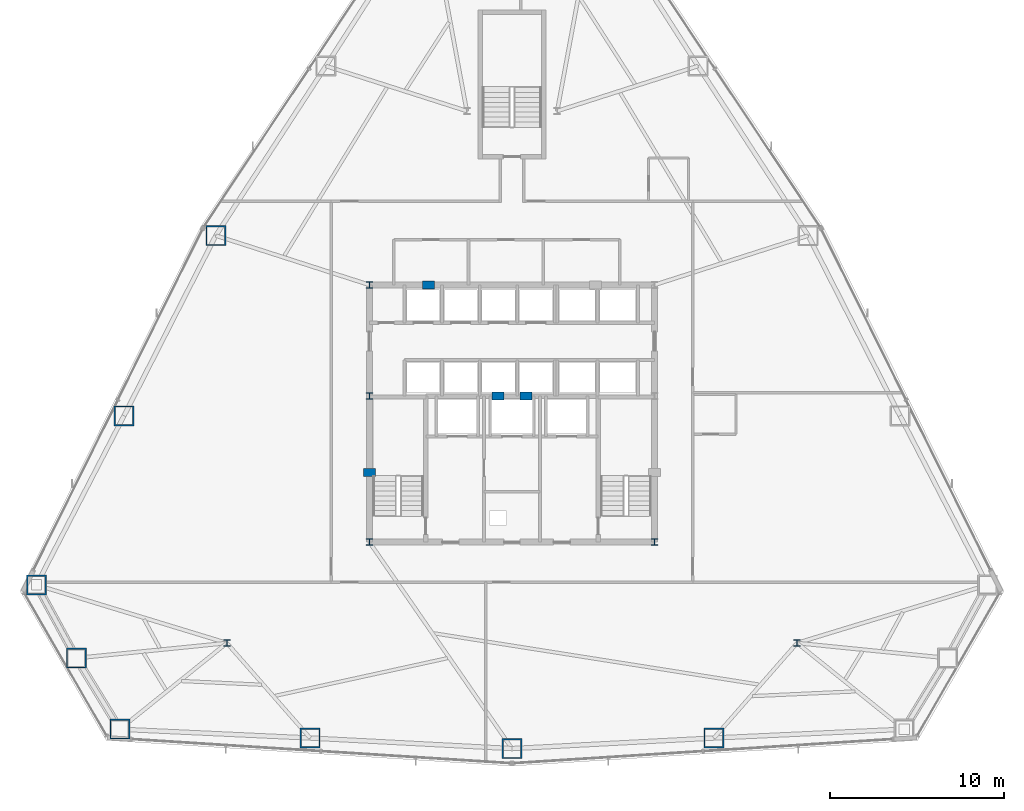
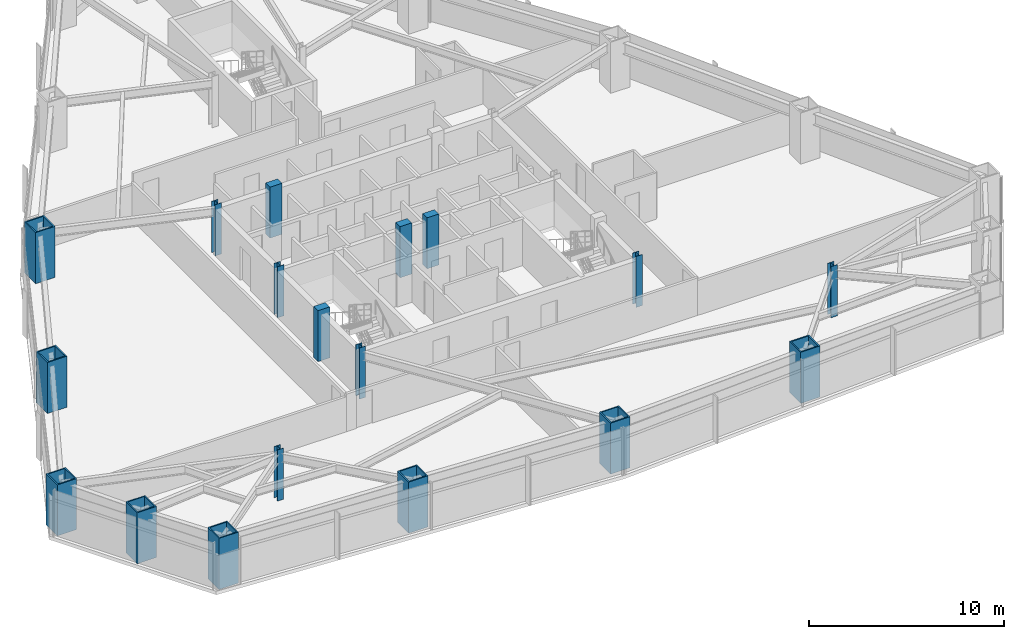
# One storey, part 1 of 12: 18 columns.
"""IFC4 building model written with IfcOpenShell, lengths in metres."""

from ifc_helpers import new_model, si_unit, direction, frame, origin, origin_2d, place, context, subcontext, project, spatial, rectangle, hollow_rectangle, i_section, extrude, material, material_profile, profile_set, type_object, element, save


model = new_model("IFC4")

# Units and contexts
model_context = context("Model", 3, precision=1e-05, world=origin(), true_north=direction((0.0, 1.0)))
body_context = subcontext(model_context, "Body", "Model", "MODEL_VIEW")
ifc_project = project(units=[si_unit("LENGTHUNIT", "METRE"), si_unit("AREAUNIT", "SQUARE_METRE"), si_unit("VOLUMEUNIT", "CUBIC_METRE"), si_unit("PLANEANGLEUNIT", "RADIAN"), si_unit("MASSUNIT", "GRAM", prefix="KILO")], contexts=[model_context])

# Site, building, storey
site_placement = place(None, origin())
site = spatial("IfcSite", under=ifc_project, at=site_placement, CompositionType="ELEMENT")
building_placement = place(site_placement, origin())
building = spatial("IfcBuilding", under=site, at=building_placement, Name="Varakhsha Concourse Tower", CompositionType="ELEMENT")
storey_placement = place(building_placement, frame((0.0, 0.0, 65.60009765625)))
storey = spatial("IfcBuildingStorey", under=building, at=storey_placement, Name="L18", CompositionType="ELEMENT", Elevation=65.60009765625)

# Columns
ifc_material_1 = material(Name="Structural Steel ASTM A992 Grade 50", Category="steel")
ifc_material_profile_1 = material_profile(ifc_material_1, i_section(OverallWidth=0.3740234375, OverallDepth=0.3720703125, WebThickness=0.01611328125, FlangeThickness=0.02587890625, at=origin_2d()), Name="W14X132")
ifc_profile_set_1 = profile_set([ifc_material_profile_1], Name="Structural Steel ASTM A992 Grade 50")
column_type_1 = type_object("IfcColumnType", Name="CL-CORE-W14X132", PredefinedType="COLUMN", material=ifc_profile_set_1)
for number, where, z_axis, x_axis, name in (
    (1, (31.800048828125, 16.39990234375, 0.0), (0.0, 0.0, 1.0), (1.0, 0.0, 0.0), "L18 Core Column CC-SW"),
    (2, (48.199951171875, 16.39990234375, 0.0), (0.0, 0.0, 1.0), (1.0, 0.0, 0.0), "L18 Core Column CC-SE"),
    (3, (31.800048828125, 24.800048828125, 0.0), (0.0, 0.0, 1.0), (1.0, 0.0, 0.0), "L18 Core Column CC-MW"),
    (4, (31.800048828125, 31.199951171875, 0.0), (0.0, 0.0, 1.0), (1.0, 0.0, 0.0), "L18 Core Column CC-NW"),
    (5, (23.60009765625, 10.60009765625, 0.0), (0.0, 0.0, 1.0), (1.0, 0.0, 0.0), "L18 Core Column SS-W"),
    (6, (56.39990234375, 10.60009765625, 0.0), (0.0, 0.0, 1.0), (1.0, 0.0, 0.0), "L18 Core Column SS-E"),
):
    element("IfcColumn", number, at=place(storey_placement, frame(where, z_axis=z_axis, x_axis=x_axis)), inside=storey, type_object=column_type_1, Name=name, PredefinedType="COLUMN", context=body_context, shape_type="SweptSolid", body=[
        extrude(i_section(OverallWidth=0.3740234375, OverallDepth=0.3720703125, WebThickness=0.01611328125, FlangeThickness=0.02587890625, at=origin_2d()), origin(), (0.0, 0.0, 1.0), 3.199951171875),
    ])
ifc_material_2 = material(Name="Concrete fc 65 MPa", Category="concrete")
ifc_material_profile_2 = material_profile(ifc_material_2, rectangle(XDim=0.699951171875, YDim=0.449951171875, at=origin_2d()), Name="RC 700x450")
ifc_profile_set_2 = profile_set([ifc_material_profile_2], Name="Concrete fc 65 MPa")
column_type_2 = type_object("IfcColumnType", Name="CL-PIL-700X450", PredefinedType="PILASTER", material=ifc_profile_set_2)
for number, where, z_axis, x_axis, name in (
    (7, (31.800048828125, 20.39990234375, 0.0), (0.0, 0.0, 1.0), (1.0, 0.0, 0.0), "L18 Core Boundary Pilaster PIL-W1"),
    (8, (35.199951171875, 31.199951171875, 0.0), (0.0, 0.0, 1.0), (1.0, 0.0, 0.0), "L18 Core Boundary Pilaster PIL-N1"),
    (9, (39.199951171875, 24.800048828125, 0.0), (0.0, 0.0, 1.0), (1.0, 0.0, 0.0), "L18 Core Boundary Pilaster PIL-M1"),
    (10, (40.800048828125, 24.800048828125, 0.0), (0.0, 0.0, 1.0), (1.0, 0.0, 0.0), "L18 Core Boundary Pilaster PIL-M2"),
):
    element("IfcColumn", number, at=place(storey_placement, frame(where, z_axis=z_axis, x_axis=x_axis)), inside=storey, type_object=column_type_2, Name=name, PredefinedType="PILASTER", context=body_context, shape_type="SweptSolid", body=[
        extrude(rectangle(XDim=0.699951171875, YDim=0.449951171875, at=origin_2d()), origin(), (0.0, 0.0, 1.0), 3.199951171875),
    ])
ifc_material_3 = material(Name="Structural Steel ASTM A572 Grade 50", Category="steel")
ifc_material_profile_3 = material_profile(ifc_material_3, hollow_rectangle(XDim=1.14990234375, YDim=1.14990234375, WallThickness=0.074951171875, at=origin_2d()), Name="BOX 1150x1150x75")
ifc_profile_set_3 = profile_set([ifc_material_profile_3], Name="Structural Steel ASTM A572 Grade 50")
column_type_3 = type_object("IfcColumnType", Name="CL-TUBE-1150", PredefinedType="COLUMN", material=ifc_profile_set_3)
for number, where, z_axis, x_axis, name in (
    (11, (22.965087890625, 34.03515625, 0.0), (0.0, 0.0, 1.0), (1.0, 0.0, 0.0), "L18 Framed-Tube Column TC05"),
    (12, (17.68359375, 23.672607421875, 0.0), (0.0, 0.0, 1.0), (1.0, 0.0, 0.0), "L18 Framed-Tube Column TC06"),
    (13, (12.6494140625, 13.94140625, 0.0), (0.0, 0.0, 1.0), (1.0, 0.0, 0.0), "L18 Framed-Tube Column TC07"),
    (14, (14.9423828125, 9.73291015625, 0.0), (0.0, 0.0, 1.0), (1.0, 0.0, 0.0), "L18 Framed-Tube Column TC08"),
    (15, (17.4404296875, 5.642822265625, 0.0), (0.0, 0.0, 1.0), (1.0, 0.0, 0.0), "L18 Framed-Tube Column TC09"),
    (16, (28.38525390625, 5.13720703125, 0.0), (0.0, 0.0, 1.0), (1.0, 0.0, 0.0), "L18 Framed-Tube Column TC10"),
    (17, (40.0, 4.52978515625, 0.0), (0.0, 0.0, 1.0), (1.0, 0.0, 0.0), "L18 Framed-Tube Column TC11"),
    (18, (51.61474609375, 5.13720703125, 0.0), (0.0, 0.0, 1.0), (1.0, 0.0, 0.0), "L18 Framed-Tube Column TC12"),
):
    element("IfcColumn", number, at=place(storey_placement, frame(where, z_axis=z_axis, x_axis=x_axis)), inside=storey, type_object=column_type_3, Name=name, PredefinedType="COLUMN", context=body_context, shape_type="SweptSolid", body=[
        extrude(hollow_rectangle(XDim=1.14990234375, YDim=1.14990234375, WallThickness=0.074951171875, at=origin_2d()), origin(), (0.0, 0.0, 1.0), 3.199951171875),
    ])

save(model, "model.ifc")
